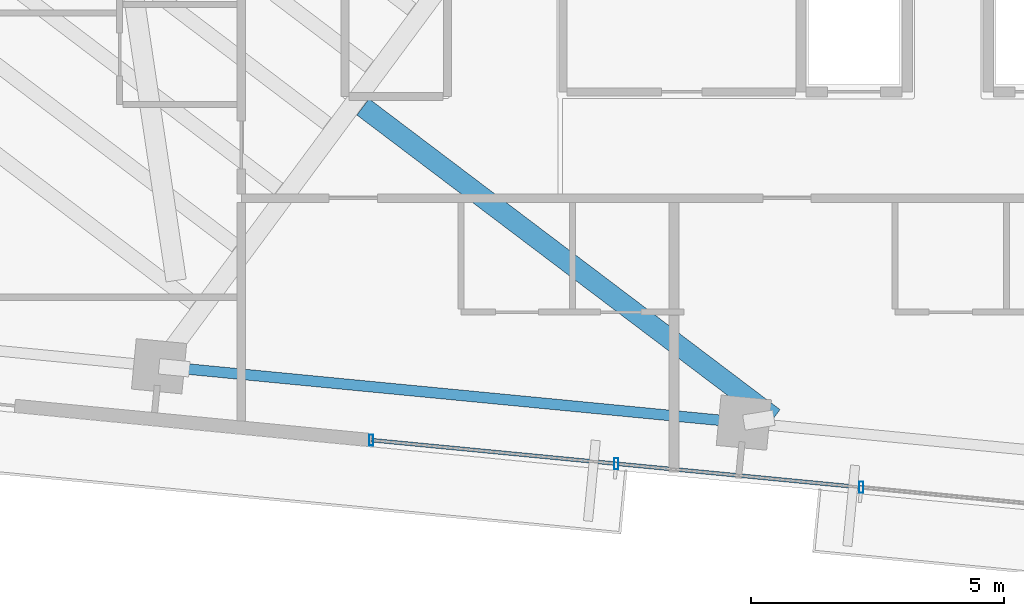
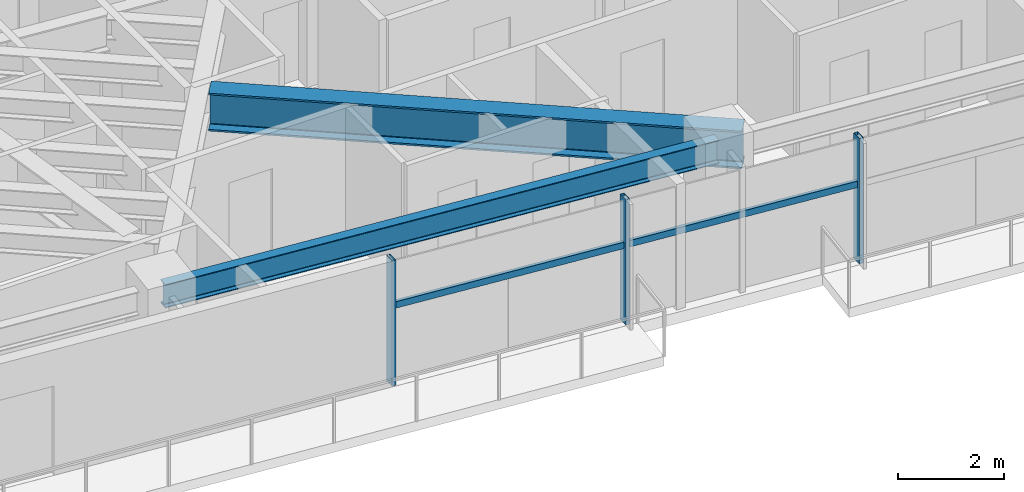
# One storey, part 4 of 20: 5 members, 2 beams, 1 element without a shape of its own.
"""IFC4 building model written with IfcOpenShell, lengths in metres."""

from ifc_helpers import new_model, si_unit, direction, frame, origin, origin_2d, place, context, subcontext, project, spatial, hollow_rectangle, i_section, extrude, source, transform, mapped, material, material_profile, profile_set, type_object, type_shapes, element, aggregate, save


model = new_model("IFC4")

# Units and contexts
model_context = context("Model", 3, precision=1e-05, world=origin(), true_north=direction((0.0, 1.0)))
body_context = subcontext(model_context, "Body", "Model", "MODEL_VIEW")
ifc_project = project(units=[si_unit("LENGTHUNIT", "METRE"), si_unit("AREAUNIT", "SQUARE_METRE"), si_unit("VOLUMEUNIT", "CUBIC_METRE"), si_unit("PLANEANGLEUNIT", "RADIAN"), si_unit("MASSUNIT", "GRAM", prefix="KILO")], contexts=[model_context])

# Site, building, storey
site_placement = place(None, origin())
site = spatial("IfcSite", under=ifc_project, at=site_placement, CompositionType="ELEMENT")
building_placement = place(site_placement, origin())
building = spatial("IfcBuilding", under=site, at=building_placement, Name="Astriad Promenade Condominiums", CompositionType="ELEMENT")
storey_placement = place(building_placement, frame((0.0, 0.0, 159.800048828125)))
storey = spatial("IfcBuildingStorey", under=building, at=storey_placement, Name="L46", CompositionType="ELEMENT", Elevation=159.800048828125)

# Beams
ifc_material_1 = material(Name="Steel ASTM A992 Grade 50", Category="steel")
ifc_material_profile_1 = material_profile(ifc_material_1, i_section(OverallWidth=0.210693359375, OverallDepth=0.53955078125, WebThickness=0.01171875, FlangeThickness=0.018798828125, FilletRadius=0.0166015625, at=origin_2d()), Name="W21X73")
ifc_profile_set_1 = profile_set([ifc_material_profile_1], Name="Steel ASTM A992 Grade 50")
beam_type_1 = type_object("IfcBeamType", Name="STEEL SPANDREL BEAM W21X73", PredefinedType="SPANDREL", material=ifc_profile_set_1)
shared_shape_1 = source(origin(), body_context, "Body", "SweptSolid", [
    extrude(i_section(OverallWidth=0.210693359375, OverallDepth=0.53955078125, WebThickness=0.01171875, FlangeThickness=0.018798828125, FilletRadius=0.0166015625, at=origin_2d()), origin(), (0.0, 0.0, 1.0), 11.52001953125),
])
type_shapes(beam_type_1, [shared_shape_1])
beam_1_placement = place(storey_placement, frame((20.467041015625, 9.32763671875, 2.63037109375), z_axis=(0.9953953902, -0.095854145285, 0.0), x_axis=(0.095854145285, 0.9953953902, 0.0)))
element("IfcBeam", 1, at=beam_1_placement, inside=storey, type_object=beam_type_1, Name="Perimeter Spandrel Beam SP-S2-L46", PredefinedType="SPANDREL", context=body_context, shape_type="MappedRepresentation", body=[
    mapped(shared_shape_1, transform((0.0, 0.0, 0.0), scale=1.0)),
])
ifc_material_profile_2 = material_profile(ifc_material_1, i_section(OverallWidth=0.4013671875, OverallDepth=0.877197265625, WebThickness=0.022216796875, FlangeThickness=0.039794921875, FilletRadius=0.02294921875, at=origin_2d()), Name="W33X263")
ifc_profile_set_2 = profile_set([ifc_material_profile_2], Name="Steel ASTM A992 Grade 50")
beam_type_2 = type_object("IfcBeamType", Name="STEEL TRANSFER CARRIER GIRDER W33X263", PredefinedType="BEAM", material=ifc_profile_set_2)
shared_shape_2 = source(origin(), body_context, "Body", "SweptSolid", [
    extrude(i_section(OverallWidth=0.4013671875, OverallDepth=0.877197265625, WebThickness=0.022216796875, FlangeThickness=0.039794921875, FilletRadius=0.02294921875, at=origin_2d()), origin(), (0.0, 0.0, 1.0), 10.17333984375),
])
type_shapes(beam_type_2, [shared_shape_2])
beam_2_placement = place(storey_placement, frame((24.453125, 14.452392578125, 2.46142578125), z_axis=(0.79759766078, -0.603189830416, 0.0), x_axis=(0.603189830416, 0.79759766078, 0.0)))
element("IfcBeam", 2, at=beam_2_placement, inside=storey, type_object=beam_type_2, Name="Transfer Splice Carrier TRM-SP-PC03-L46", PredefinedType="BEAM", context=body_context, shape_type="MappedRepresentation", body=[
    mapped(shared_shape_2, transform((0.0, 0.0, 0.0), scale=1.0)),
])

# Curtain wall, members
ifc_material_2 = material(Name="Anodised aluminium Black Dark Glass Unitised", Category="aluminium")
curtain_wall_type = type_object("IfcCurtainWallType", Name="CW-B34-DARK", PredefinedType="USERDEFINED", material=ifc_material_2)
curtain_wall_placement = place(storey_placement, origin())
curtain_wall = element("IfcCurtainWall", 3, at=curtain_wall_placement, inside=storey, type_object=curtain_wall_type, Name="CW-L46-S", ObjectType="UNITISED_CURTAIN_WALL", PredefinedType="USERDEFINED")
ifc_material_3 = material(Name="Anodised aluminium 6063-T6 Black", Category="aluminium")
ifc_material_profile_3 = material_profile(ifc_material_3, hollow_rectangle(XDim=0.074951171875, YDim=0.14990234375, WallThickness=0.004150390625, at=origin_2d()), Name="ALU-TRN-75X150")
ifc_profile_set_3 = profile_set([ifc_material_profile_3], Name="Anodised aluminium 6063-T6 Black")
member_type_1 = type_object("IfcMemberType", Name="TRN-ALU-TRN-75X150", PredefinedType="USERDEFINED", material=ifc_profile_set_3)
shared_shape_3 = source(origin(), body_context, "Body", "SweptSolid", [
    extrude(hollow_rectangle(XDim=0.074951171875, YDim=0.14990234375, WallThickness=0.004150390625, at=origin_2d()), origin(), (0.0, 0.0, 1.0), 4.860107421875),
])
type_shapes(member_type_1, [shared_shape_3])
member_1_placement = place(storey_placement, frame((34.2919921875, 6.941650390625, 1.7978515625), z_axis=(-0.995396042559, 0.095847370639, 0.0), x_axis=(-0.095847370639, -0.995396042559, 0.0)))
member_1 = element("IfcMember", 4, at=member_1_placement, type_object=member_type_1, Name="CW-L46-S-TRN-01-0", ObjectType="TRANSOM", PredefinedType="USERDEFINED", context=body_context, shape_type="MappedRepresentation", body=[
    mapped(shared_shape_3, transform((0.0, 0.0, 0.0), scale=1.0)),
])
member_2_placement = place(storey_placement, frame((29.454345703125, 7.407470703125, 1.7978515625), z_axis=(-0.995396042559, 0.095847370639, 0.0), x_axis=(-0.095847370639, -0.995396042559, 0.0)))
member_2 = element("IfcMember", 5, at=member_2_placement, type_object=member_type_1, Name="CW-L46-S-TRN-02-0", ObjectType="TRANSOM", PredefinedType="USERDEFINED", context=body_context, shape_type="MappedRepresentation", body=[
    mapped(shared_shape_3, transform((0.0, 0.0, 0.0), scale=1.0)),
])
ifc_material_profile_4 = material_profile(ifc_material_3, hollow_rectangle(XDim=0.0849609375, YDim=0.219970703125, WallThickness=0.0048828125, at=origin_2d()), Name="ALU-MUL-85X220")
ifc_profile_set_4 = profile_set([ifc_material_profile_4], Name="Anodised aluminium 6063-T6 Black")
member_type_2 = type_object("IfcMemberType", Name="MUL-ALU-MUL-85X220", PredefinedType="MULLION", material=ifc_profile_set_4)
shared_shape_4 = source(origin(), body_context, "Body", "SweptSolid", [
    extrude(hollow_rectangle(XDim=0.0849609375, YDim=0.219970703125, WallThickness=0.0048828125, at=origin_2d()), origin(), (0.0, 0.0, 1.0), 2.89990234375),
])
type_shapes(member_type_2, [shared_shape_4])
member_3_placement = place(storey_placement, frame((34.2919921875, 6.941650390625, 0.0), z_axis=(0.0, 0.0, 1.0), x_axis=(1.0, 0.0, 0.0)))
member_3 = element("IfcMember", 6, at=member_3_placement, type_object=member_type_2, Name="CW-L46-S-MUL-01", PredefinedType="MULLION", context=body_context, shape_type="MappedRepresentation", body=[
    mapped(shared_shape_4, transform((0.0, 0.0, 0.0), scale=1.0)),
])
member_4_placement = place(storey_placement, frame((29.454345703125, 7.407470703125, 0.0), z_axis=(0.0, 0.0, 1.0), x_axis=(1.0, 0.0, 0.0)))
member_4 = element("IfcMember", 7, at=member_4_placement, type_object=member_type_2, Name="CW-L46-S-MUL-02", PredefinedType="MULLION", context=body_context, shape_type="MappedRepresentation", body=[
    mapped(shared_shape_4, transform((0.0, 0.0, 0.0), scale=1.0)),
])
member_5_placement = place(storey_placement, frame((24.61669921875, 7.873291015625, 0.0), z_axis=(0.0, 0.0, 1.0), x_axis=(1.0, 0.0, 0.0)))
member_5 = element("IfcMember", 8, at=member_5_placement, type_object=member_type_2, Name="CW-L46-S-MUL-03", PredefinedType="MULLION", context=body_context, shape_type="MappedRepresentation", body=[
    mapped(shared_shape_4, transform((0.0, 0.0, 0.0), scale=1.0)),
])
aggregate(curtain_wall, [member_3, member_4, member_5, member_1, member_2])

save(model, "model.ifc")
